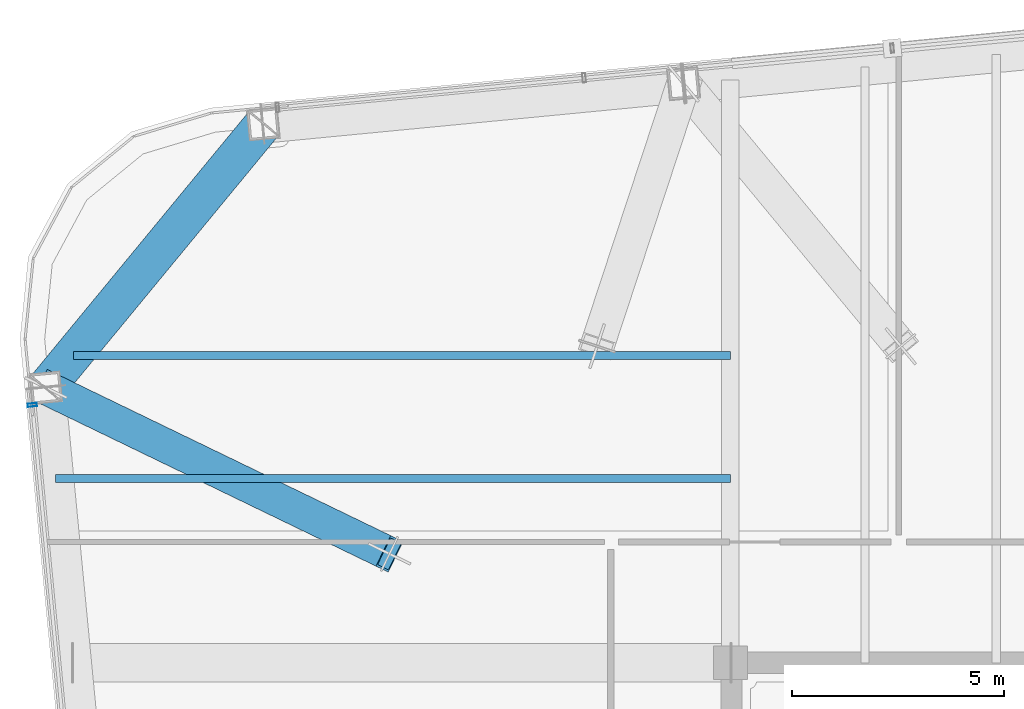
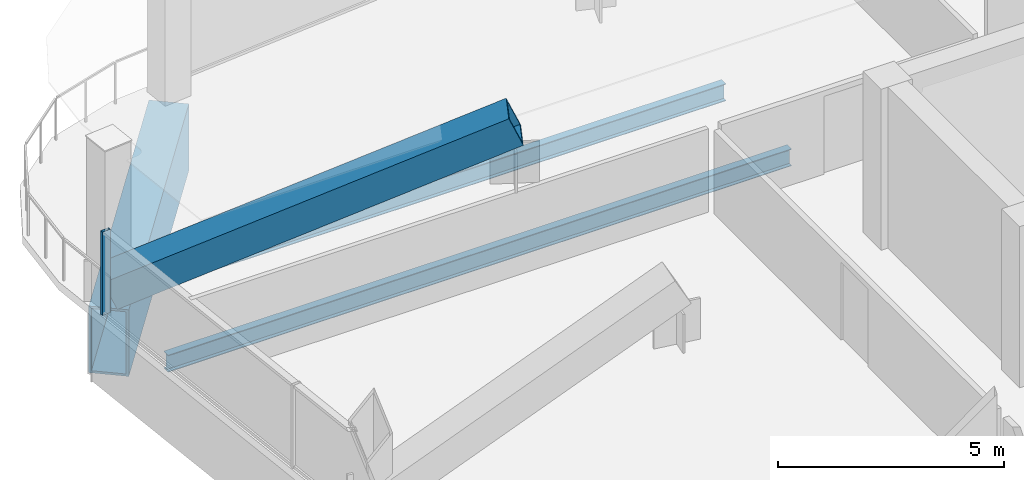
# One storey, part 10 of 22: 3 beams, 2 members, 1 element without a shape of its own.
"""IFC4 building model written with IfcOpenShell, lengths in metres."""

import ifcopenshell
import ifcopenshell.guid

model = None  # the IFC model being written
_history = None  # IfcOwnerHistory: only IFC2X3 demands one
_inside = {}  # id of a spatial element -> (the spatial element, [elements in it])
_under = {}  # id of a project, library or spatial element -> (it, [spatial elements below it])
_declared = {}  # id of a project -> (the project, [libraries it declares])
_typed = {}  # id of a type object -> (the type object, [elements of that type])
_made_of = {}  # id of a material, layer set ... -> (it, [elements and type objects made of it])


def new_model(schema):
    """Start an empty IFC model of exactly this schema.

    Asked for "IFC4X3", IfcOpenShell would pick the latest addendum, in which some entities
    have other attributes; the version numbers below select the first issue.
    IFC2X3 requires an IfcOwnerHistory on every rooted entity: one is made here for all.
    """
    global model, _history
    if schema == "IFC4X3":
        model = ifcopenshell.file(schema_version=(4, 3, 0, 0))
    else:
        model = ifcopenshell.file(schema=schema)
    _inside.clear()
    _under.clear()
    _declared.clear()
    _typed.clear()
    _made_of.clear()
    _history = None
    if model.schema == "IFC2X3":
        org = make("IfcOrganization", Name="unknown")
        user = make(
            "IfcPersonAndOrganization",
            ThePerson=make("IfcPerson", FamilyName="unknown"),
            TheOrganization=org,
        )
        app = make(
            "IfcApplication",
            ApplicationDeveloper=org,
            Version="unknown",
            ApplicationFullName="unknown",
            ApplicationIdentifier="unknown",
        )
        _history = make(
            "IfcOwnerHistory",
            OwningUser=user,
            OwningApplication=app,
            ChangeAction="ADDED",
            CreationDate=0,
        )
    return model


def make(cls, **values):
    """One entity of the class cls with the attributes given. An attribute that is None is left unset."""
    return model.create_entity(
        cls, **{name: value for name, value in values.items() if value is not None}
    )


def rooted(cls, **values):
    """An entity with a GlobalId (a new one), such as an element, a storey or a relation."""
    return make(cls, GlobalId=ifcopenshell.guid.new(), OwnerHistory=_history, **values)


def si_unit(unit_type, name, prefix=None):
    """IfcSIUnit, for example si_unit("LENGTHUNIT", "METRE", prefix="MILLI")."""
    return make("IfcSIUnit", UnitType=unit_type, Prefix=prefix, Name=name)


def assignment(units):
    """IfcUnitAssignment: the units of a project."""
    return None if units is None else make("IfcUnitAssignment", Units=units)


def point(xyz):
    """IfcCartesianPoint."""
    return None if xyz is None else make("IfcCartesianPoint", Coordinates=xyz)


def direction(xyz):
    """IfcDirection."""
    return None if xyz is None else make("IfcDirection", DirectionRatios=xyz)


def frame(location, z_axis=None, x_axis=None):
    """IfcAxis2Placement3D, a coordinate frame: its origin and axes. An axis left out is left unset."""
    return make(
        "IfcAxis2Placement3D",
        Location=point(location),
        Axis=direction(z_axis),
        RefDirection=direction(x_axis),
    )


def frame_2d(location, x_axis=None):
    """IfcAxis2Placement2D, a coordinate frame in the plane: its origin and x axis."""
    return make(
        "IfcAxis2Placement2D", Location=point(location), RefDirection=direction(x_axis)
    )


def origin():
    """The frame at (0, 0, 0) with its axes left unset."""
    return frame((0.0, 0.0, 0.0))


def origin_2d():
    """The frame at (0, 0) in the plane with its x axis left unset."""
    return frame_2d((0.0, 0.0))


def place(relative_to, where):
    """IfcLocalPlacement: puts the frame where relative to a parent placement (None: the world)."""
    return make(
        "IfcLocalPlacement", PlacementRelTo=relative_to, RelativePlacement=where
    )


def context(
    kind, dimensions, precision=None, world=None, true_north=None, identifier=None
):
    """IfcGeometricRepresentationContext, for example the 3D "Model" context."""
    return make(
        "IfcGeometricRepresentationContext",
        ContextIdentifier=identifier,
        ContextType=kind,
        CoordinateSpaceDimension=dimensions,
        Precision=precision,
        WorldCoordinateSystem=world,
        TrueNorth=true_north,
    )


def subcontext(parent, identifier, kind, view, scale=None):
    """IfcGeometricRepresentationSubContext, for example "Body" below "Model"."""
    return make(
        "IfcGeometricRepresentationSubContext",
        ContextIdentifier=identifier,
        ContextType=kind,
        ParentContext=parent,
        TargetScale=scale,
        TargetView=view,
    )


def project(units=None, contexts=None):
    """IfcProject with its units and contexts."""
    return rooted(
        "IfcProject",
        Name="project",
        RepresentationContexts=contexts,
        UnitsInContext=assignment(units),
    )


def spatial(cls, under=None, at=None, **own):
    """A site, building, storey or space (cls), placed at a placement, below another one or the project."""
    s = rooted(cls, ObjectPlacement=at, **own)
    if under is not None:
        _under.setdefault(under.id(), (under, []))[1].append(s)
    return s


def profile(cls, at=None, kind="AREA", **sizes):
    """A parametric profile (cls). Its sizes go by their IFC names, for example OverallWidth=200.0."""
    return make(cls, ProfileType=kind, Position=at, **sizes)


def hollow_rectangle(**sizes):
    """IfcRectangleHollowProfileDef."""
    return profile("IfcRectangleHollowProfileDef", **sizes)


def i_section(**sizes):
    """IfcIShapeProfileDef."""
    return profile("IfcIShapeProfileDef", **sizes)


def extrude(swept, where, along, depth):
    """IfcExtrudedAreaSolid: the profile swept, set in the frame where, extruded along a direction by depth."""
    return make(
        "IfcExtrudedAreaSolid",
        SweptArea=swept,
        Position=where,
        ExtrudedDirection=direction(along),
        Depth=depth,
    )


def shape(context_of_items, identifier, shape_type, items):
    """IfcShapeRepresentation: the items that make up one representation, for example the "Body"."""
    return make(
        "IfcShapeRepresentation",
        ContextOfItems=context_of_items,
        RepresentationIdentifier=identifier,
        RepresentationType=shape_type,
        Items=items,
    )


def material(Name=None, Category=None):
    """IfcMaterial."""
    return make("IfcMaterial", Name=Name, Category=Category)


def layer(
    of_material, thickness, ventilated=None, Name=None, Category=None, Priority=None
):
    """IfcMaterialLayer: one layer of a wall or slab, of a material (None: an air gap)."""
    return make(
        "IfcMaterialLayer",
        Material=of_material,
        LayerThickness=thickness,
        IsVentilated=ventilated,
        Name=Name,
        Category=Category,
        Priority=Priority,
    )


def layer_set(layers, Name=None):
    """IfcMaterialLayerSet."""
    return make("IfcMaterialLayerSet", MaterialLayers=layers, LayerSetName=Name)


def material_profile(
    of_material, cross_section, Name=None, Category=None, Priority=None
):
    """IfcMaterialProfile: a cross section and its material."""
    return make(
        "IfcMaterialProfile",
        Name=Name,
        Material=of_material,
        Profile=cross_section,
        Priority=Priority,
        Category=Category,
    )


def profile_set(profiles, Name=None, composite=None):
    """IfcMaterialProfileSet."""
    return make(
        "IfcMaterialProfileSet",
        Name=Name,
        MaterialProfiles=profiles,
        CompositeProfile=composite,
    )


def made_of(thing, what):
    """Note that an element or type object is made of a material, layer set ...; save() writes the relation."""
    if what is not None:
        _made_of.setdefault(what.id(), (what, []))[1].append(thing)
    return thing


def type_object(cls, material=None, **own):
    """A type object (cls), such as IfcWallType, which elements share."""
    return made_of(rooted(cls, **own), material)


def element(
    cls,
    number,
    at=None,
    inside=None,
    cuts=None,
    type_object=None,
    material=None,
    context=None,
    identifier="Body",
    shape_type=None,
    held_by="IfcProductDefinitionShape",
    body=None,
    shapes=None,
    **own,
):
    """One element of the class cls, such as IfcWall. Its Tag is "e" and its number.

    at: its placement. inside: the storey or other place that contains it. cuts: it is an
    opening in that element (IfcRelVoidsElement). A single representation is given by context,
    identifier, shape_type and body (its items); several are given by shapes. held_by: the class
    of the entity that holds the representations. save() writes the other relations.
    """
    e = rooted(cls, Tag="e%d" % number, ObjectPlacement=at, **own)
    if body is not None:
        shapes = [shape(context, identifier, shape_type, body)]
    if shapes is not None:
        e.Representation = make(held_by, Representations=shapes)
    if inside is not None:
        _inside.setdefault(inside.id(), (inside, []))[1].append(e)
    if cuts is not None:
        rooted(
            "IfcRelVoidsElement", RelatingBuildingElement=cuts, RelatedOpeningElement=e
        )
    if type_object is not None:
        _typed.setdefault(type_object.id(), (type_object, []))[1].append(e)
    return made_of(e, material)


def aggregate(whole, parts):
    """IfcRelAggregates: a whole, such as a stair, and the parts it consists of."""
    return rooted("IfcRelAggregates", RelatingObject=whole, RelatedObjects=parts)


def save(model, path):
    """Write the relations noted so far, then the file.

    IfcRelAggregates (storeys below a building ...), IfcRelContainedInSpatialStructure (elements
    in a storey), IfcRelDefinesByType, IfcRelAssociatesMaterial and IfcRelDeclares: one each for
    every whole, place, type object, material and project.
    """
    for whole, parts in _under.values():
        aggregate(whole, parts)
    for where, things in _inside.values():
        rooted(
            "IfcRelContainedInSpatialStructure",
            RelatedElements=things,
            RelatingStructure=where,
        )
    for kind, things in _typed.values():
        rooted("IfcRelDefinesByType", RelatedObjects=things, RelatingType=kind)
    for what, things in _made_of.values():
        rooted("IfcRelAssociatesMaterial", RelatedObjects=things, RelatingMaterial=what)
    for by, libraries in _declared.values():
        rooted("IfcRelDeclares", RelatingContext=by, RelatedDefinitions=libraries)
    model.write(path)


model = new_model("IFC4")

# Units and contexts
model_context = context("Model", 3, precision=1e-05, world=origin(), true_north=direction((0.0, 1.0)))
body_context = subcontext(model_context, "Body", "Model", "MODEL_VIEW")
ifc_project = project(units=[si_unit("LENGTHUNIT", "METRE"), si_unit("AREAUNIT", "SQUARE_METRE"), si_unit("VOLUMEUNIT", "CUBIC_METRE"), si_unit("PLANEANGLEUNIT", "RADIAN"), si_unit("MASSUNIT", "GRAM", prefix="KILO")], contexts=[model_context])

# Site, building, storey
site_placement = place(None, origin())
site = spatial("IfcSite", under=ifc_project, at=site_placement, CompositionType="ELEMENT")
building_placement = place(site_placement, origin())
building = spatial("IfcBuilding", under=site, at=building_placement, Name="Qhalaya Broadcast Tower", CompositionType="ELEMENT")
storey_placement = place(building_placement, frame((0.0, 0.0, 183.60009765625)))
storey = spatial("IfcBuildingStorey", under=building, at=storey_placement, Name="L54", CompositionType="ELEMENT", Elevation=183.60009765625)

# Beams
ifc_material_1 = material(Name="Structural Steel ASTM A572 Grade 50", Category="steel")
ifc_material_profile_1 = material_profile(ifc_material_1, hollow_rectangle(XDim=0.89990234375, YDim=1.800048828125, WallThickness=0.06005859375, at=origin_2d()), Name="BOX 900x1800x60")
ifc_profile_set_1 = profile_set([ifc_material_profile_1], Name="Structural Steel ASTM A572 Grade 50")
beam_type_1 = type_object("IfcBeamType", Name="Block Cantilever Transfer Box Girder TG1", PredefinedType="USERDEFINED", material=ifc_profile_set_1)
beam_1_placement = place(storey_placement, frame((-20.400390625, 22.662109375, -1.1201171875), z_axis=(-0.636070241972, -0.771631160126, 0.0), x_axis=(0.771631160126, -0.636070241972, 0.0)))
element("IfcBeam", 1, at=beam_1_placement, inside=storey, type_object=beam_type_1, Name="L54 TG1 L54-SPR-12", ObjectType="GIRDER", PredefinedType="USERDEFINED", context=body_context, shape_type="SweptSolid", body=[
    extrude(hollow_rectangle(XDim=0.89990234375, YDim=1.800048828125, WallThickness=0.06005859375, at=origin_2d()), origin(), (0.0, 0.0, 1.0), 8.06103515625),
])
ifc_material_2 = material(Name="Structural Steel ASTM A992 Grade 50", Category="steel")
ifc_material_profile_2 = material_profile(ifc_material_2, i_section(OverallWidth=0.19189453125, OverallDepth=0.462890625, WebThickness=0.010498046875, FlangeThickness=0.017578125, at=origin_2d()), Name="W18X60")
ifc_profile_set_2 = profile_set([ifc_material_profile_2], Name="Structural Steel ASTM A992 Grade 50")
beam_type_2 = type_object("IfcBeamType", Name="Composite Floor Joist J03", PredefinedType="JOIST", material=ifc_profile_set_2)
beam_2_placement = place(storey_placement, frame((-25.301513671875, 14.300048828125, -0.45166015625), z_axis=(1.0, 0.0, 0.0), x_axis=(0.0, 1.0, 0.0)))
element("IfcBeam", 2, at=beam_2_placement, inside=storey, type_object=beam_type_2, Name="L54 J03 L54-JWE6W-1", PredefinedType="JOIST", context=body_context, shape_type="SweptSolid", body=[
    extrude(i_section(OverallWidth=0.19189453125, OverallDepth=0.462890625, WebThickness=0.010498046875, FlangeThickness=0.017578125, at=origin_2d()), origin(), (0.0, 0.0, 1.0), 15.926513671875),
])
beam_3_placement = place(storey_placement, frame((-24.876953125, 17.199951171875, -0.45166015625), z_axis=(1.0, 0.0, 0.0), x_axis=(0.0, 1.0, 0.0)))
element("IfcBeam", 3, at=beam_3_placement, inside=storey, type_object=beam_type_2, Name="L54 J03 L54-JWE7W-1", PredefinedType="JOIST", context=body_context, shape_type="SweptSolid", body=[
    extrude(i_section(OverallWidth=0.19189453125, OverallDepth=0.462890625, WebThickness=0.010498046875, FlangeThickness=0.017578125, at=origin_2d()), origin(), (0.0, 0.0, 1.0), 15.501953125),
])

# Curtain wall, member
ifc_material_3 = material(Name="Fired Architectural Terracotta", Category="masonry")
ifc_layer = layer(ifc_material_3, 0.219970703125, Name="Fired Architectural Terracotta")
ifc_layer_set = layer_set([ifc_layer], Name="Fired Architectural Terracotta")
curtain_wall_type = type_object("IfcCurtainWallType", Name="Block-Cap Unitised Terracotta Spandrel Wall CW-07", PredefinedType="NOTDEFINED", material=ifc_layer_set)
curtain_wall_placement = place(storey_placement, origin())
curtain_wall = element("IfcCurtainWall", 4, at=curtain_wall_placement, inside=storey, type_object=curtain_wall_type, Name="L54 Unitised Curtain Wall L54-CW-W", PredefinedType="NOTDEFINED")
ifc_material_4 = material(Name="Anodised Aluminium 6063-T6", Category="aluminium")
ifc_material_profile_3 = material_profile(ifc_material_4, hollow_rectangle(XDim=0.074951171875, YDim=0.219970703125, WallThickness=0.00390625, at=origin_2d()), Name="ALU-MUL 75x220x4")
ifc_profile_set_3 = profile_set([ifc_material_profile_3], Name="Anodised Aluminium 6063-T6")
member_type_1 = type_object("IfcMemberType", Name="Unitised Curtain-Wall Mullion M01", PredefinedType="MULLION", material=ifc_profile_set_3)
member_1_placement = place(storey_placement, frame((-25.85009765625, 16.03369140625, 0.0), z_axis=(0.0, 0.0, 1.0), x_axis=(-0.095846069906, 0.995396167806, 0.0)))
member_1 = element("IfcMember", 5, at=member_1_placement, type_object=member_type_1, Name="CW-07 mullion 5", PredefinedType="MULLION", context=body_context, shape_type="SweptSolid", body=[
    extrude(hollow_rectangle(XDim=0.074951171875, YDim=0.219970703125, WallThickness=0.00390625, at=origin_2d()), origin(), (0.0, 0.0, 1.0), 2.25),
])
aggregate(curtain_wall, [member_1])

# Member
ifc_material_profile_4 = material_profile(ifc_material_1, hollow_rectangle(XDim=0.800048828125, YDim=0.800048828125, WallThickness=0.050048828125, at=origin_2d()), Name="BOX 800x800x50")
ifc_profile_set_4 = profile_set([ifc_material_profile_4], Name="Structural Steel ASTM A572 Grade 50")
member_type_2 = type_object("IfcMemberType", Name="Upper Exoskeleton Transfer Strut RK2", PredefinedType="BRACE", material=ifc_profile_set_4)
member_2_placement = place(storey_placement, frame((-25.52783203125, 16.44189453125, 0.3759765625), z_axis=(0.823611440746, -0.398388864322, 0.40367128639), x_axis=(0.435443309303, 0.900216154256, 0.0)))
element("IfcMember", 6, at=member_2_placement, inside=storey, type_object=member_type_2, Name="L54 Inclined Exoskeleton Transfer Strut 13", PredefinedType="BRACE", context=body_context, shape_type="SweptSolid", body=[
    extrude(hollow_rectangle(XDim=0.800048828125, YDim=0.800048828125, WallThickness=0.050048828125, at=origin_2d()), origin(), (0.0, 0.0, 1.0), 9.84423828125),
])

save(model, "model.ifc")
